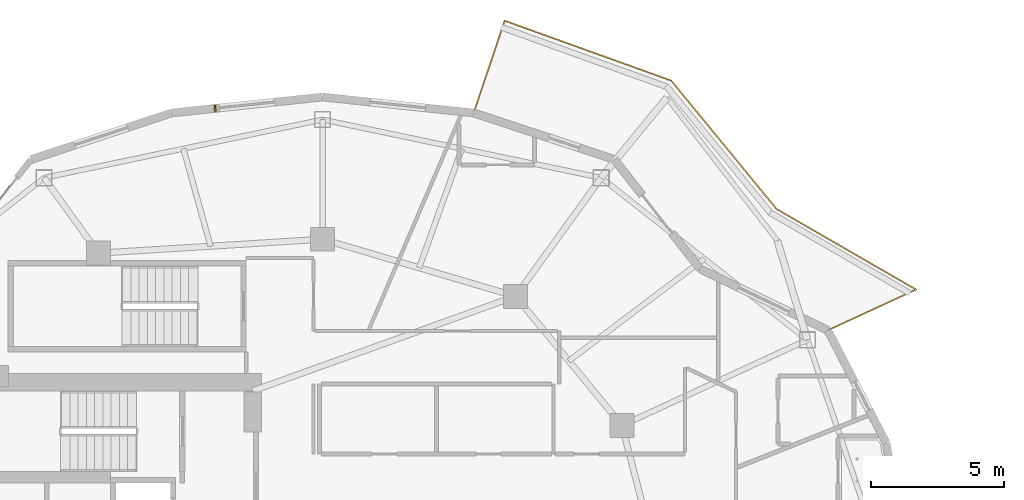
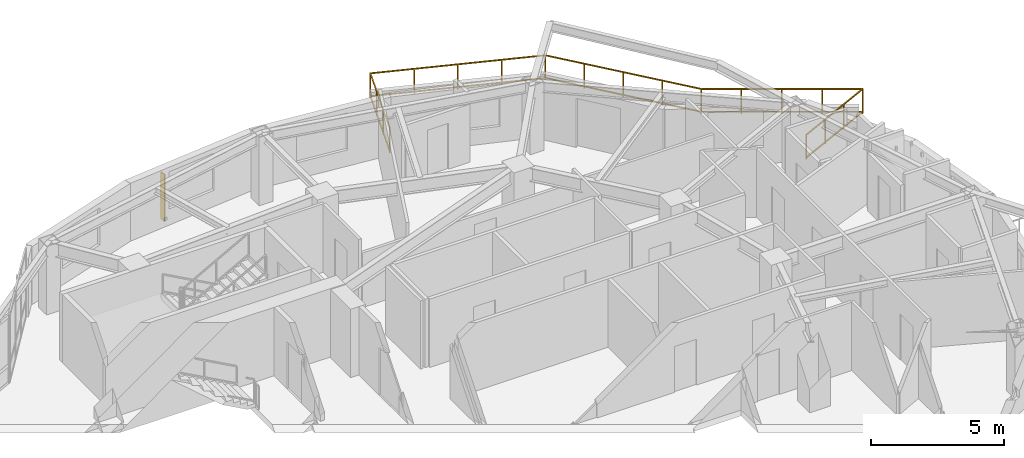
# One storey, part 19 of 19: 1 railing, 1 shading device.
"""IFC4 building model written with IfcOpenShell, lengths in metres."""

from ifc_helpers import new_model, si_unit, direction, frame, origin, origin_2d, place, context, subcontext, project, spatial, rectangle, extrude, material, type_object, element, save


model = new_model("IFC4")

# Units and contexts
model_context = context("Model", 3, precision=1e-05, world=origin(), true_north=direction((0.0, 1.0)))
body_context = subcontext(model_context, "Body", "Model", "MODEL_VIEW")
ifc_project = project(units=[si_unit("LENGTHUNIT", "METRE"), si_unit("AREAUNIT", "SQUARE_METRE"), si_unit("VOLUMEUNIT", "CUBIC_METRE"), si_unit("PLANEANGLEUNIT", "RADIAN"), si_unit("MASSUNIT", "GRAM", prefix="KILO")], contexts=[model_context])

# Site, building, storey
site_placement = place(None, origin())
site = spatial("IfcSite", under=ifc_project, at=site_placement, CompositionType="ELEMENT")
building_placement = place(site_placement, origin())
building = spatial("IfcBuilding", under=site, at=building_placement, Name="Kolvaren Gate Tower and Convention Centre", CompositionType="ELEMENT")
storey_placement = place(building_placement, frame((0.0, 0.0, 163.10009765625)))
storey = spatial("IfcBuildingStorey", under=building, at=storey_placement, Name="L42", CompositionType="ELEMENT", Elevation=163.10009765625)

# Railing
ifc_material_1 = material(Name="Brushed Stainless Steel Grade 316L", Category="steel")
railing_type = type_object("IfcRailingType", Name="ARCH-RL-GUARD-1150", PredefinedType="GUARDRAIL", material=ifc_material_1)
railing_placement = place(storey_placement, frame((49.123291015625, 35.77490234375, 0.0)))
element("IfcRailing", 1, at=railing_placement, inside=storey, type_object=railing_type, Name="Tower L42 Terrace Perimeter Guardrail GR-1", PredefinedType="GUARDRAIL", context=body_context, shape_type="SweptSolid", body=[
    extrude(rectangle(XDim=0.048095703125, YDim=0.048095703125, at=origin_2d()), frame((0.025390625, 0.01171875, 1.1259765625), z_axis=(0.907820723829, 0.419358478377, 0.0), x_axis=(-0.419358478377, 0.907820723829, 0.0)), (0.0, 0.0, 1.0), 3.60400390625),
    extrude(rectangle(XDim=0.048095703125, YDim=0.048095703125, at=origin_2d()), frame((0.025390625, 0.01171875, 0.083984375), z_axis=(0.907820723829, 0.419358478377, 0.0), x_axis=(-0.419358478377, 0.907820723829, 0.0)), (0.0, 0.0, 1.0), 3.60400390625),
    extrude(rectangle(XDim=0.048095703125, YDim=0.048095703125, at=origin_2d()), frame((3.298583984375, 1.548828125, 1.1259765625), z_axis=(-0.866075571306, 0.499913097234, 0.0), x_axis=(-0.499913097234, -0.866075571306, 0.0)), (0.0, 0.0, 1.0), 6.004150390625),
    extrude(rectangle(XDim=0.048095703125, YDim=0.048095703125, at=origin_2d()), frame((3.298583984375, 1.548828125, 0.083984375), z_axis=(-0.866075571306, 0.499913097234, 0.0), x_axis=(-0.499913097234, -0.866075571306, 0.0)), (0.0, 0.0, 1.0), 6.004150390625),
    extrude(rectangle(XDim=0.048095703125, YDim=0.048095703125, at=origin_2d()), frame((-1.943603515625, 4.586181640625, 1.1259765625), z_axis=(-0.634429234628, 0.77298094818, 0.0), x_axis=(-0.77298094818, -0.634429234628, 0.0)), (0.0, 0.0, 1.0), 6.188720703125),
    extrude(rectangle(XDim=0.048095703125, YDim=0.048095703125, at=origin_2d()), frame((-1.943603515625, 4.586181640625, 0.083984375), z_axis=(-0.634429234628, 0.77298094818, 0.0), x_axis=(-0.77298094818, -0.634429234628, 0.0)), (0.0, 0.0, 1.0), 6.188720703125),
    extrude(rectangle(XDim=0.048095703125, YDim=0.048095703125, at=origin_2d()), frame((-5.9140625, 9.401123046875, 1.1259765625), z_axis=(-0.940948576924, 0.338549517184, 0.0), x_axis=(-0.338549517184, -0.940948576924, 0.0)), (0.0, 0.0, 1.0), 6.60791015625),
    extrude(rectangle(XDim=0.048095703125, YDim=0.048095703125, at=origin_2d()), frame((-5.9140625, 9.401123046875, 0.083984375), z_axis=(-0.940948576924, 0.338549517184, 0.0), x_axis=(-0.338549517184, -0.940948576924, 0.0)), (0.0, 0.0, 1.0), 6.60791015625),
    extrude(rectangle(XDim=0.048095703125, YDim=0.048095703125, at=origin_2d()), frame((-12.1669921875, 11.62109375, 1.1259765625), z_axis=(-0.317568160167, -0.94823544737, 0.0), x_axis=(0.94823544737, -0.317568160167, 0.0)), (0.0, 0.0, 1.0), 3.60400390625),
    extrude(rectangle(XDim=0.048095703125, YDim=0.048095703125, at=origin_2d()), frame((-12.1669921875, 11.62109375, 0.083984375), z_axis=(-0.317568160167, -0.94823544737, 0.0), x_axis=(0.94823544737, -0.317568160167, 0.0)), (0.0, 0.0, 1.0), 3.60400390625),
    extrude(rectangle(XDim=0.0419921875, YDim=0.0419921875, at=origin_2d()), origin(), (0.0, 0.0, 1.0), 1.14990234375),
    extrude(rectangle(XDim=0.0419921875, YDim=0.0419921875, at=origin_2d()), frame((3.32275390625, 1.534912109375, 0.0)), (0.0, 0.0, 1.0), 1.14990234375),
    extrude(rectangle(XDim=0.0419921875, YDim=0.0419921875, at=origin_2d()), frame((1.107666015625, 0.51171875, 0.0)), (0.0, 0.0, 1.0), 1.099853515625),
    extrude(rectangle(XDim=0.0419921875, YDim=0.0419921875, at=origin_2d()), frame((2.215087890625, 1.023193359375, 0.0)), (0.0, 0.0, 1.0), 1.099853515625),
    extrude(rectangle(XDim=0.0419921875, YDim=0.0419921875, at=origin_2d()), frame((-1.92578125, 4.564453125, 0.0)), (0.0, 0.0, 1.0), 1.14990234375),
    extrude(rectangle(XDim=0.0419921875, YDim=0.0419921875, at=origin_2d()), frame((2.0107421875, 2.292236328125, 0.0)), (0.0, 0.0, 1.0), 1.099853515625),
    extrude(rectangle(XDim=0.0419921875, YDim=0.0419921875, at=origin_2d()), frame((0.698486328125, 3.0498046875, 0.0)), (0.0, 0.0, 1.0), 1.099853515625),
    extrude(rectangle(XDim=0.0419921875, YDim=0.0419921875, at=origin_2d()), frame((-0.61376953125, 3.80712890625, 0.0)), (0.0, 0.0, 1.0), 1.099853515625),
    extrude(rectangle(XDim=0.0419921875, YDim=0.0419921875, at=origin_2d()), frame((-5.8876953125, 9.3916015625, 0.0)), (0.0, 0.0, 1.0), 1.14990234375),
    extrude(rectangle(XDim=0.0419921875, YDim=0.0419921875, at=origin_2d()), frame((-2.916259765625, 5.771240234375, 0.0)), (0.0, 0.0, 1.0), 1.099853515625),
    extrude(rectangle(XDim=0.0419921875, YDim=0.0419921875, at=origin_2d()), frame((-3.90673828125, 6.97802734375, 0.0)), (0.0, 0.0, 1.0), 1.099853515625),
    extrude(rectangle(XDim=0.0419921875, YDim=0.0419921875, at=origin_2d()), frame((-4.897216796875, 8.184814453125, 0.0)), (0.0, 0.0, 1.0), 1.099853515625),
    extrude(rectangle(XDim=0.0419921875, YDim=0.0419921875, at=origin_2d()), frame((-12.158203125, 11.647705078125, 0.0)), (0.0, 0.0, 1.0), 1.14990234375),
    extrude(rectangle(XDim=0.0419921875, YDim=0.0419921875, at=origin_2d()), frame((-7.455322265625, 9.95556640625, 0.0)), (0.0, 0.0, 1.0), 1.099853515625),
    extrude(rectangle(XDim=0.0419921875, YDim=0.0419921875, at=origin_2d()), frame((-9.02294921875, 10.51953125, 0.0)), (0.0, 0.0, 1.0), 1.099853515625),
    extrude(rectangle(XDim=0.0419921875, YDim=0.0419921875, at=origin_2d()), frame((-10.590576171875, 11.083740234375, 0.0)), (0.0, 0.0, 1.0), 1.099853515625),
    extrude(rectangle(XDim=0.0419921875, YDim=0.0419921875, at=origin_2d()), frame((-13.320556640625, 8.177001953125, 0.0)), (0.0, 0.0, 1.0), 1.14990234375),
    extrude(rectangle(XDim=0.0419921875, YDim=0.0419921875, at=origin_2d()), frame((-12.545654296875, 10.49072265625, 0.0)), (0.0, 0.0, 1.0), 1.099853515625),
    extrude(rectangle(XDim=0.0419921875, YDim=0.0419921875, at=origin_2d()), frame((-12.93310546875, 9.333984375, 0.0)), (0.0, 0.0, 1.0), 1.099853515625),
])

# Shading device
ifc_material_2 = material(Name="Kiln-Fired Bogota Terracotta Ceramic Louvre Profile", Category="masonry")
shading_device_type = type_object("IfcShadingDeviceType", Name="ARCH-SHD-FIN-180", PredefinedType="JALOUSIE", material=ifc_material_2)
shading_device_placement = place(storey_placement, frame((26.083251953125, 44.124267578125, 0.219970703125), z_axis=(0.0, 0.0, 1.0), x_axis=(0.994499249941, 0.104743696069, 0.0)))
element("IfcShadingDevice", 2, at=shading_device_placement, inside=storey, type_object=shading_device_type, Name="Ceramic Vertical Brise-Soleil Fin FN-L42-06", PredefinedType="JALOUSIE", context=body_context, shape_type="SweptSolid", body=[
    extrude(rectangle(XDim=0.06005859375, YDim=0.239990234375, at=origin_2d()), origin(), (0.0, 0.0, 1.0), 2.14990234375),
])

save(model, "model.ifc")
